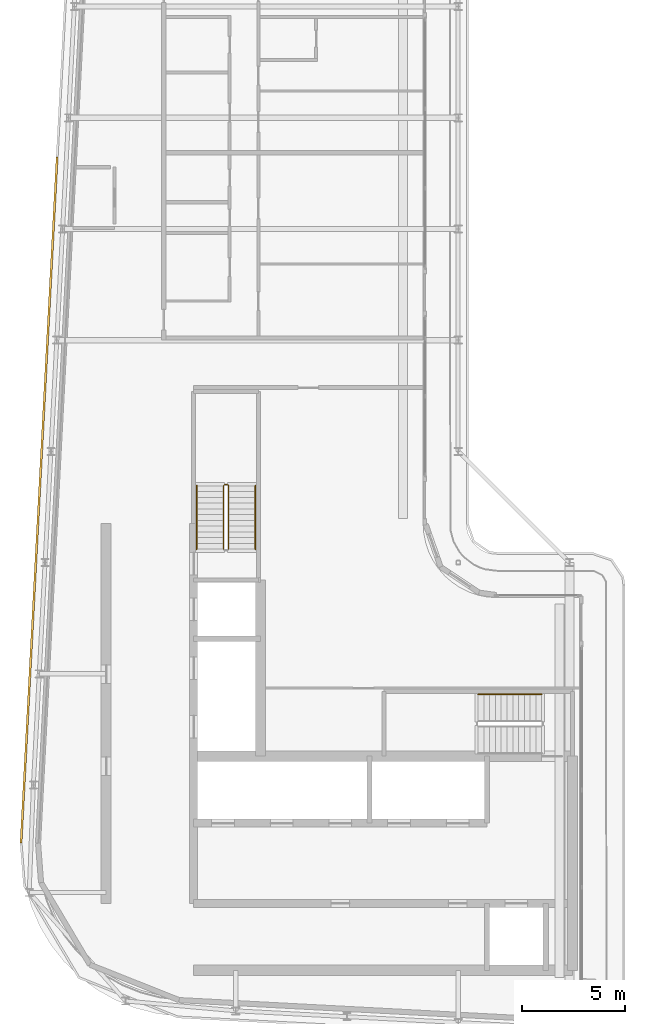
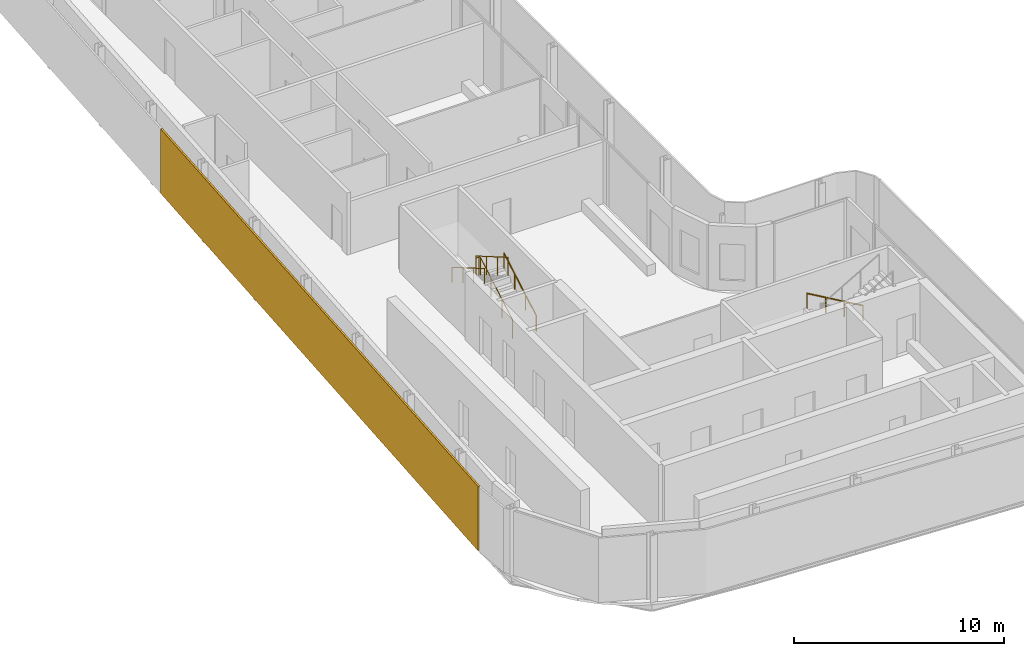
# One storey, part 15 of 18: 4 railings, 1 shading device.
"""IFC4 building model written with IfcOpenShell, lengths in metres."""

from ifc_helpers import new_model, si_unit, direction, frame, origin, origin_2d, place, context, subcontext, project, spatial, rectangle, circle, extrude, material, layer, layer_set, type_object, element, save


model = new_model("IFC4")

# Units and contexts
model_context = context("Model", 3, precision=1e-05, world=origin(), true_north=direction((0.0, 1.0)))
body_context = subcontext(model_context, "Body", "Model", "MODEL_VIEW")
ifc_project = project(units=[si_unit("LENGTHUNIT", "METRE"), si_unit("AREAUNIT", "SQUARE_METRE"), si_unit("VOLUMEUNIT", "CUBIC_METRE"), si_unit("PLANEANGLEUNIT", "RADIAN"), si_unit("MASSUNIT", "GRAM", prefix="KILO")], contexts=[model_context])

# Site, building, storey
site_placement = place(None, origin())
site = spatial("IfcSite", under=ifc_project, at=site_placement, CompositionType="ELEMENT")
building_placement = place(site_placement, origin())
building = spatial("IfcBuilding", under=site, at=building_placement, Name="Kheshtan School and Residences Tower", CompositionType="ELEMENT")
storey_placement = place(building_placement, frame((0.0, 0.0, 361.699951171875)))
storey = spatial("IfcBuildingStorey", under=building, at=storey_placement, Name="L85", CompositionType="ELEMENT", Elevation=361.699951171875)

# Shading device
ifc_material_1 = material(Name="Terracotta baguette, extruded ceramic", Category="masonry")
ifc_layer = layer(ifc_material_1, 0.10009765625)
ifc_layer_set = layer_set([ifc_layer], Name="Ledge screen, terracotta baguettes")
shading_device_type = type_object("IfcShadingDeviceType", Name="Ledge screen, terracotta baguettes", PredefinedType="USERDEFINED", material=ifc_layer_set)
shading_device_placement = place(storey_placement, frame((27.24609375, 48.638916015625, 0.0), z_axis=(0.0, 0.0, 1.0), x_axis=(0.052562536748, 0.998617634398, 0.0)))
element("IfcShadingDevice", 1, at=shading_device_placement, inside=storey, type_object=shading_device_type, Name="Screen L85 4", ObjectType="BAGUETTE", PredefinedType="USERDEFINED", context=body_context, shape_type="SweptSolid", body=[
    extrude(rectangle(XDim=33.341064453125, YDim=0.10009765625, at=origin_2d()), origin(), (0.0, 0.0, 1.0), 3.75),
])

# Railings
ifc_material_2 = material(Name="Stainless steel balustrade", Category="steel")
railing_type_1 = type_object("IfcRailingType", Name="Stair guard 1100", PredefinedType="GUARDRAIL", material=ifc_material_2)
railing_1_placement = place(storey_placement, frame((36.449951171875, 46.25, 0.16259765625)))
element("IfcRailing", 2, at=railing_1_placement, inside=storey, type_object=railing_type_1, Name="L85 ST2 stair guard 1", PredefinedType="GUARDRAIL", context=body_context, shape_type="SweptSolid", body=[
    extrude(circle(Radius=0.02392578125, at=origin_2d()), frame((0.0, 0.0, 1.076171875), z_axis=(0.0, 0.864920483161, 0.501908913857), x_axis=(-1.0, 0.0, 0.0)), (0.0, 0.0, 1.0), 3.56103515625),
    extrude(circle(Radius=0.02392578125, at=origin_2d()), frame((0.0, 3.080078125, 2.86328125), z_axis=(-0.708833529934, 0.705375805398, 0.0), x_axis=(-0.705375805398, -0.708833529934, 0.0)), (0.0, 0.0, 1.0), 0.070556640625),
    extrude(circle(Radius=0.02392578125, at=origin_2d()), frame((-0.050048828125, 3.1298828125, 2.86328125), z_axis=(-1.0, 0.0, 0.0), x_axis=(0.0, -1.0, 0.0)), (0.0, 0.0, 1.0), 0.14990234375),
    extrude(circle(Radius=0.02392578125, at=origin_2d()), frame((-0.199951171875, 3.1298828125, 2.86328125), z_axis=(-0.282336740067, -0.280959487676, 0.917250092119), x_axis=(0.705375805398, -0.708833529934, 0.0)), (0.0, 0.0, 1.0), 0.17724609375),
    extrude(circle(Radius=0.02392578125, at=origin_2d()), frame((-0.25, 3.080078125, 3.02587890625), z_axis=(0.0, -0.864890721111, 0.501960198159), x_axis=(1.0, 0.0, 0.0)), (0.0, 0.0, 1.0), 3.561279296875),
    extrude(circle(Radius=0.02099609375, at=origin_2d()), origin(), (0.0, 0.0, 1.0), 1.052001953125),
    extrude(circle(Radius=0.02099609375, at=origin_2d()), frame((0.0, 1.026611328125, 0.595703125)), (0.0, 0.0, 1.0), 1.052001953125),
    extrude(circle(Radius=0.02099609375, at=origin_2d()), frame((0.0, 2.053466796875, 1.191650390625)), (0.0, 0.0, 1.0), 1.052001953125),
    extrude(circle(Radius=0.02099609375, at=origin_2d()), frame((0.0, 3.080078125, 1.787353515625)), (0.0, 0.0, 1.0), 1.052001953125),
    extrude(circle(Radius=0.02099609375, at=origin_2d()), frame((-0.050048828125, 3.1298828125, 1.787353515625)), (0.0, 0.0, 1.0), 1.052001953125),
    extrude(circle(Radius=0.02099609375, at=origin_2d()), frame((-0.199951171875, 3.1298828125, 1.787353515625)), (0.0, 0.0, 1.0), 1.052001953125),
    extrude(circle(Radius=0.02099609375, at=origin_2d()), frame((-0.25, 3.080078125, 1.949951171875)), (0.0, 0.0, 1.0), 1.052001953125),
    extrude(circle(Radius=0.02099609375, at=origin_2d()), frame((-0.25, 2.053466796875, 2.5458984375)), (0.0, 0.0, 1.0), 1.052001953125),
    extrude(circle(Radius=0.02099609375, at=origin_2d()), frame((-0.25, 1.026611328125, 3.1416015625)), (0.0, 0.0, 1.0), 1.052001953125),
    extrude(circle(Radius=0.02099609375, at=origin_2d()), frame((-0.25, 0.0, 3.737548828125)), (0.0, 0.0, 1.0), 1.052001953125),
])
ifc_material_3 = material(Name="Stainless steel handrail", Category="steel")
railing_type_2 = type_object("IfcRailingType", Name="Stair handrail 900", PredefinedType="HANDRAIL", material=ifc_material_3)
railing_2_placement = place(storey_placement, frame((51.64990234375, 39.199951171875, 0.16259765625)))
element("IfcRailing", 3, at=railing_2_placement, inside=storey, type_object=railing_type_2, Name="L85 ST1 stair handrail 1", PredefinedType="HANDRAIL", context=body_context, shape_type="SweptSolid", body=[
    extrude(circle(Radius=0.02392578125, at=origin_2d()), frame((0.0, 0.0, 0.8759765625), z_axis=(-0.864903211148, 0.0, 0.501938676878), x_axis=(0.0, -1.0, 0.0)), (0.0, 0.0, 1.0), 3.560791015625),
    extrude(circle(Radius=0.02099609375, at=origin_2d()), origin(), (0.0, 0.0, 1.0), 0.851806640625),
    extrude(circle(Radius=0.02099609375, at=origin_2d()), frame((-1.026611328125, 0.0, 0.595703125)), (0.0, 0.0, 1.0), 0.851806640625),
    extrude(circle(Radius=0.02099609375, at=origin_2d()), frame((-2.05322265625, 0.0, 1.191650390625)), (0.0, 0.0, 1.0), 0.851806640625),
    extrude(circle(Radius=0.02099609375, at=origin_2d()), frame((-3.079833984375, 0.0, 1.787353515625)), (0.0, 0.0, 1.0), 0.851806640625),
])
railing_3_placement = place(storey_placement, frame((37.75, 46.25, 0.16259765625)))
element("IfcRailing", 4, at=railing_3_placement, inside=storey, type_object=railing_type_2, Name="L85 ST2 stair handrail 1", PredefinedType="HANDRAIL", context=body_context, shape_type="SweptSolid", body=[
    extrude(circle(Radius=0.02392578125, at=origin_2d()), frame((0.0, 0.0, 0.8759765625), z_axis=(0.0, 0.864920483161, 0.501908913857), x_axis=(-1.0, 0.0, 0.0)), (0.0, 0.0, 1.0), 3.56103515625),
    extrude(circle(Radius=0.02099609375, at=origin_2d()), origin(), (0.0, 0.0, 1.0), 0.851806640625),
    extrude(circle(Radius=0.02099609375, at=origin_2d()), frame((0.0, 1.026611328125, 0.595703125)), (0.0, 0.0, 1.0), 0.851806640625),
    extrude(circle(Radius=0.02099609375, at=origin_2d()), frame((0.0, 2.053466796875, 1.191650390625)), (0.0, 0.0, 1.0), 0.851806640625),
    extrude(circle(Radius=0.02099609375, at=origin_2d()), frame((0.0, 3.080078125, 1.787353515625)), (0.0, 0.0, 1.0), 0.851806640625),
])
railing_4_placement = place(storey_placement, frame((34.89990234375, 49.330078125, 2.112548828125)))
element("IfcRailing", 5, at=railing_4_placement, inside=storey, type_object=railing_type_2, Name="L85 ST2 stair handrail 2", PredefinedType="HANDRAIL", context=body_context, shape_type="SweptSolid", body=[
    extrude(circle(Radius=0.02392578125, at=origin_2d()), frame((0.0, 0.0, 0.8759765625), z_axis=(0.0, -0.864890721111, 0.501960198159), x_axis=(1.0, 0.0, 0.0)), (0.0, 0.0, 1.0), 3.561279296875),
    extrude(circle(Radius=0.02099609375, at=origin_2d()), origin(), (0.0, 0.0, 1.0), 0.851806640625),
    extrude(circle(Radius=0.02099609375, at=origin_2d()), frame((0.0, -1.026611328125, 0.595947265625)), (0.0, 0.0, 1.0), 0.851806640625),
    extrude(circle(Radius=0.02099609375, at=origin_2d()), frame((0.0, -2.053466796875, 1.191650390625)), (0.0, 0.0, 1.0), 0.851806640625),
    extrude(circle(Radius=0.02099609375, at=origin_2d()), frame((0.0, -3.080078125, 1.78759765625)), (0.0, 0.0, 1.0), 0.851806640625),
])

save(model, "model.ifc")
